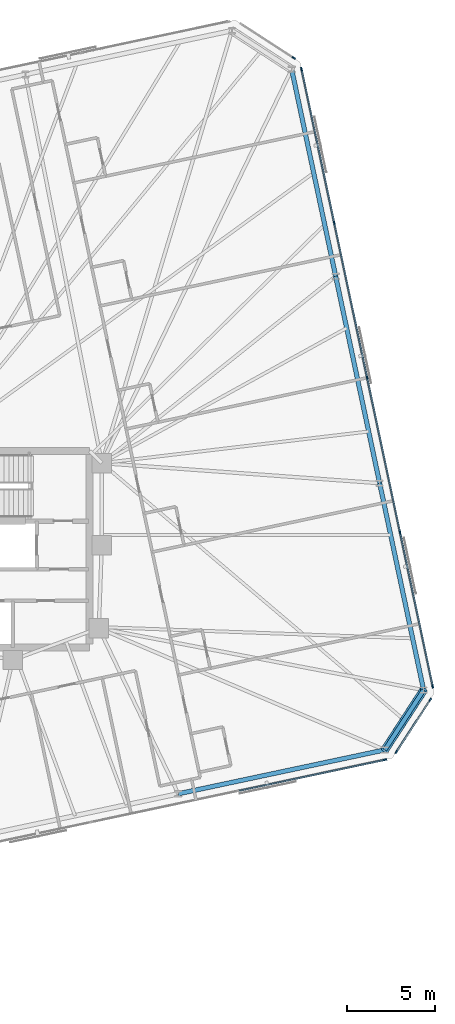
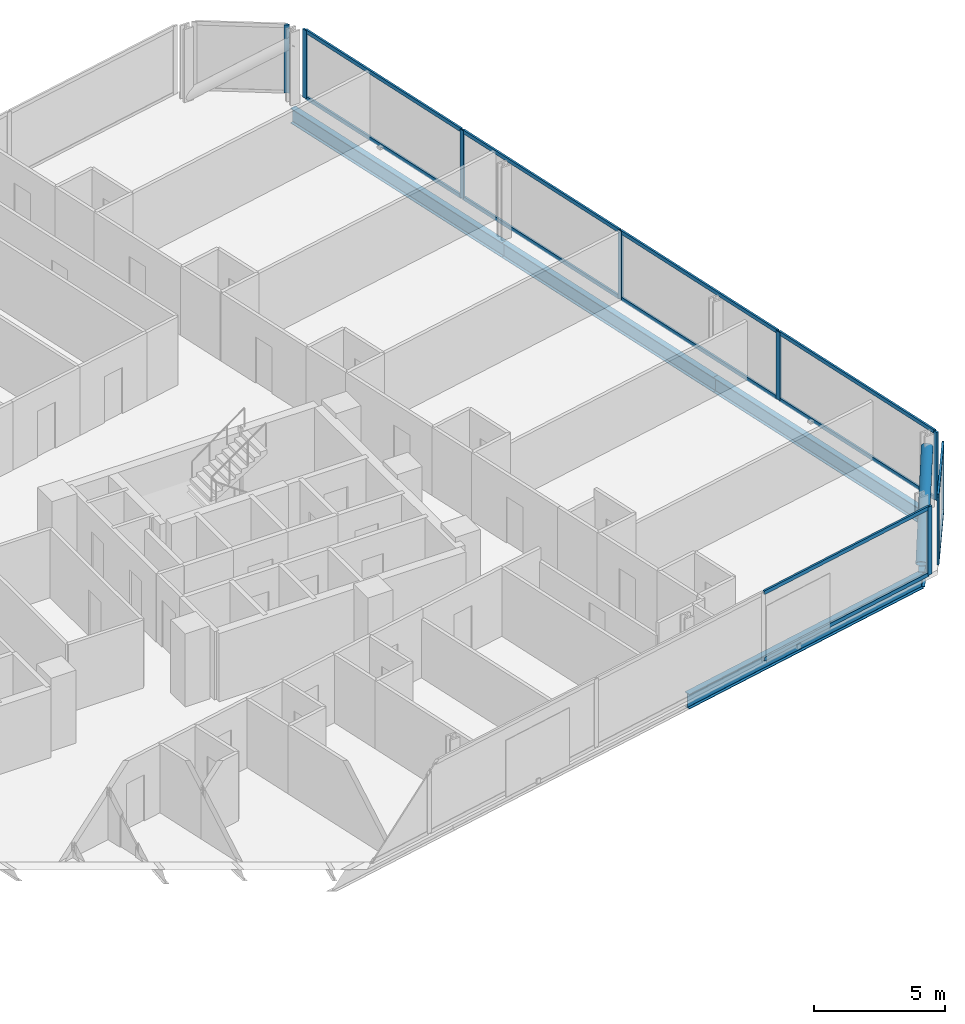
# One storey, part 12 of 21: 22 members, 5 beams, 4 elements without a shape of their own.
"""IFC4 building model written with IfcOpenShell, lengths in metres."""

from ifc_helpers import new_model, si_unit, direction, frame, origin, origin_2d, place, context, subcontext, project, spatial, rectangle, hollow_circle, i_section, extrude, material, material_profile, profile_set, type_object, element, aggregate, save


model = new_model("IFC4")

# Units and contexts
model_context = context("Model", 3, precision=1e-05, world=origin(), true_north=direction((0.0, 1.0)))
body_context = subcontext(model_context, "Body", "Model", "MODEL_VIEW")
ifc_project = project(units=[si_unit("LENGTHUNIT", "METRE"), si_unit("AREAUNIT", "SQUARE_METRE"), si_unit("VOLUMEUNIT", "CUBIC_METRE"), si_unit("PLANEANGLEUNIT", "RADIAN"), si_unit("MASSUNIT", "GRAM", prefix="KILO")], contexts=[model_context])

# Site, building, storey
site_placement = place(None, origin())
site = spatial("IfcSite", under=ifc_project, at=site_placement, CompositionType="ELEMENT")
building_placement = place(site_placement, origin())
building = spatial("IfcBuilding", under=site, at=building_placement, Name="Menara Jurai Vektor", CompositionType="ELEMENT")
storey_placement = place(building_placement, frame((0.0, 0.0, 168.39990234375)))
storey = spatial("IfcBuildingStorey", under=building, at=storey_placement, Name="L43", CompositionType="ELEMENT", Elevation=168.39990234375)

# Curtain wall, member
ifc_material_1 = material(Name="Anodised Pale Aluminium & Low-E Double Glazing", Category="aluminium")
curtain_wall_type = type_object("IfcCurtainWallType", Name="CW-BLK3", PredefinedType="NOTDEFINED", material=ifc_material_1)
curtain_wall_1_placement = place(storey_placement, origin())
curtain_wall_1 = element("IfcCurtainWall", 1, at=curtain_wall_1_placement, inside=storey, type_object=curtain_wall_type, Name="Unitised Curtain Wall L43 F01", PredefinedType="NOTDEFINED")
ifc_material_2 = material(Name="Anodised Pale Aluminium Mullion", Category="aluminium")
ifc_material_profile_1 = material_profile(ifc_material_2, rectangle(XDim=0.0849609375, YDim=0.205078125, at=origin_2d()), Name="ALU MUL 85x205")
ifc_profile_set_1 = profile_set([ifc_material_profile_1], Name="Anodised Pale Aluminium Mullion")
member_type_1 = type_object("IfcMemberType", Name="CW-BLK3-MUL", PredefinedType="MULLION", material=ifc_profile_set_1)
member_1_placement = place(storey_placement, frame((31.392578125, -11.99755859375, 0.0), z_axis=(0.0, 0.0, 1.0), x_axis=(-0.207911344156, 0.978147674419, 0.0)))
member_1 = element("IfcMember", 2, at=member_1_placement, type_object=member_type_1, Name="CW-03 mullion 8", PredefinedType="MULLION", context=body_context, shape_type="SweptSolid", body=[
    extrude(rectangle(XDim=0.0849609375, YDim=0.205078125, at=origin_2d()), origin(), (0.0, 0.0, 1.0), 3.175048828125),
])

# Curtain wall, members
curtain_wall_2_placement = place(storey_placement, origin())
curtain_wall_2 = element("IfcCurtainWall", 3, at=curtain_wall_2_placement, inside=storey, type_object=curtain_wall_type, Name="Unitised Curtain Wall L43 F02", PredefinedType="NOTDEFINED")
member_2_placement = place(storey_placement, frame((32.035888671875, -11.555419921875, 0.0), z_axis=(0.0, 0.0, 1.0), x_axis=(-0.838684361415, 0.544617794346, 0.0)))
member_2 = element("IfcMember", 4, at=member_2_placement, type_object=member_type_1, Name="CW-03 mullion 1", PredefinedType="MULLION", context=body_context, shape_type="SweptSolid", body=[
    extrude(rectangle(XDim=0.0849609375, YDim=0.205078125, at=origin_2d()), origin(), (0.0, 0.0, 1.0), 3.175048828125),
])
member_3_placement = place(storey_placement, frame((33.96337890625, -8.587158203125, 0.0), z_axis=(0.0, 0.0, 1.0), x_axis=(-0.838684361415, 0.544617794346, 0.0)))
member_3 = element("IfcMember", 5, at=member_3_placement, type_object=member_type_1, Name="CW-03 mullion 2", PredefinedType="MULLION", context=body_context, shape_type="SweptSolid", body=[
    extrude(rectangle(XDim=0.0849609375, YDim=0.205078125, at=origin_2d()), origin(), (0.0, 0.0, 1.0), 3.175048828125),
])

curtain_wall_3_placement = place(storey_placement, origin())
curtain_wall_3 = element("IfcCurtainWall", 6, at=curtain_wall_3_placement, inside=storey, type_object=curtain_wall_type, Name="Unitised Curtain Wall L43 F03", PredefinedType="NOTDEFINED")
member_4_placement = place(storey_placement, frame((34.105712890625, -7.819580078125, 0.0), z_axis=(0.0, 0.0, 1.0), x_axis=(-0.978147883949, -0.20791035839, 0.0)))
member_4 = element("IfcMember", 7, at=member_4_placement, type_object=member_type_1, Name="CW-03 mullion 1", PredefinedType="MULLION", context=body_context, shape_type="SweptSolid", body=[
    extrude(rectangle(XDim=0.0849609375, YDim=0.205078125, at=origin_2d()), origin(), (0.0, 0.0, 1.0), 3.175048828125),
])
member_5_placement = place(storey_placement, frame((32.2412109375, 0.951904296875, 0.0), z_axis=(0.0, 0.0, 1.0), x_axis=(-0.978147883949, -0.20791035839, 0.0)))
member_5 = element("IfcMember", 8, at=member_5_placement, type_object=member_type_1, Name="CW-03 mullion 2", PredefinedType="MULLION", context=body_context, shape_type="SweptSolid", body=[
    extrude(rectangle(XDim=0.0849609375, YDim=0.205078125, at=origin_2d()), origin(), (0.0, 0.0, 1.0), 3.175048828125),
])
member_6_placement = place(storey_placement, frame((30.367919921875, 9.76513671875, 0.0), z_axis=(0.0, 0.0, 1.0), x_axis=(-0.978147883949, -0.20791035839, 0.0)))
member_6 = element("IfcMember", 9, at=member_6_placement, type_object=member_type_1, Name="CW-03 mullion 3", PredefinedType="MULLION", context=body_context, shape_type="SweptSolid", body=[
    extrude(rectangle(XDim=0.0849609375, YDim=0.205078125, at=origin_2d()), origin(), (0.0, 0.0, 1.0), 3.175048828125),
])
member_7_placement = place(storey_placement, frame((28.49462890625, 18.578125, 0.0), z_axis=(0.0, 0.0, 1.0), x_axis=(-0.978147883949, -0.20791035839, 0.0)))
member_7 = element("IfcMember", 10, at=member_7_placement, type_object=member_type_1, Name="CW-03 mullion 4", PredefinedType="MULLION", context=body_context, shape_type="SweptSolid", body=[
    extrude(rectangle(XDim=0.0849609375, YDim=0.205078125, at=origin_2d()), origin(), (0.0, 0.0, 1.0), 3.175048828125),
])
member_8_placement = place(storey_placement, frame((26.630126953125, 27.349609375, 0.0), z_axis=(0.0, 0.0, 1.0), x_axis=(-0.978147883949, -0.20791035839, 0.0)))
member_8 = element("IfcMember", 11, at=member_8_placement, type_object=member_type_1, Name="CW-03 mullion 5", PredefinedType="MULLION", context=body_context, shape_type="SweptSolid", body=[
    extrude(rectangle(XDim=0.0849609375, YDim=0.205078125, at=origin_2d()), origin(), (0.0, 0.0, 1.0), 3.175048828125),
])

# Curtain wall, member
curtain_wall_4_placement = place(storey_placement, origin())
curtain_wall_4 = element("IfcCurtainWall", 12, at=curtain_wall_4_placement, inside=storey, type_object=curtain_wall_type, Name="Unitised Curtain Wall L43 F04", PredefinedType="NOTDEFINED")
member_9_placement = place(storey_placement, frame((26.18798828125, 27.9931640625, 0.0), z_axis=(0.0, 0.0, 1.0), x_axis=(-0.544617794346, -0.838684361415, 0.0)))
member_9 = element("IfcMember", 13, at=member_9_placement, type_object=member_type_1, Name="CW-03 mullion 1", PredefinedType="MULLION", context=body_context, shape_type="SweptSolid", body=[
    extrude(rectangle(XDim=0.0849609375, YDim=0.205078125, at=origin_2d()), origin(), (0.0, 0.0, 1.0), 3.175048828125),
])
aggregate(curtain_wall_4, [member_9])

# Member
ifc_material_3 = material(Name="Anodised Pale Aluminium Transom", Category="aluminium")
ifc_material_profile_2 = material_profile(ifc_material_3, rectangle(XDim=0.0849609375, YDim=0.175048828125, at=origin_2d()), Name="ALU TRN 85x175")
ifc_profile_set_2 = profile_set([ifc_material_profile_2], Name="Anodised Pale Aluminium Transom")
member_type_2 = type_object("IfcMemberType", Name="CW-BLK3-TRN", PredefinedType="USERDEFINED", material=ifc_profile_set_2)
member_10_placement = place(storey_placement, frame((23.0859375, -13.76318359375, 0.04248046875), z_axis=(0.978146953428, 0.207914736128, 0.0), x_axis=(-0.207914736128, 0.978146953428, 0.0)))
member_10 = element("IfcMember", 14, at=member_10_placement, type_object=member_type_2, Name="CW-03 transom 7.1", ObjectType="TRANSOM", PredefinedType="USERDEFINED", context=body_context, shape_type="SweptSolid", body=[
    extrude(rectangle(XDim=0.0849609375, YDim=0.175048828125, at=origin_2d()), origin(), (0.0, 0.0, 1.0), 8.44970703125),
])

member_11_placement = place(storey_placement, frame((23.0859375, -13.76318359375, 3.132568359375), z_axis=(0.978146953428, 0.207914736128, 0.0), x_axis=(-0.207914736128, 0.978146953428, 0.0)))
member_11 = element("IfcMember", 15, at=member_11_placement, type_object=member_type_2, Name="CW-03 transom 7.2", ObjectType="TRANSOM", PredefinedType="USERDEFINED", context=body_context, shape_type="SweptSolid", body=[
    extrude(rectangle(XDim=0.0849609375, YDim=0.175048828125, at=origin_2d()), origin(), (0.0, 0.0, 1.0), 8.44970703125),
])

aggregate(curtain_wall_1, [member_1, member_10, member_11])

member_12_placement = place(storey_placement, frame((32.05908203125, -11.519775390625, 0.04248046875), z_axis=(0.54459575764, 0.838698671014, 0.0), x_axis=(-0.838698671014, 0.54459575764, 0.0)))
member_12 = element("IfcMember", 16, at=member_12_placement, type_object=member_type_2, Name="CW-03 transom 1.1", ObjectType="TRANSOM", PredefinedType="USERDEFINED", context=body_context, shape_type="SweptSolid", body=[
    extrude(rectangle(XDim=0.0849609375, YDim=0.175048828125, at=origin_2d()), origin(), (0.0, 0.0, 1.0), 3.4541015625),
])

member_13_placement = place(storey_placement, frame((32.05908203125, -11.519775390625, 3.132568359375), z_axis=(0.54459575764, 0.838698671014, 0.0), x_axis=(-0.838698671014, 0.54459575764, 0.0)))
member_13 = element("IfcMember", 17, at=member_13_placement, type_object=member_type_2, Name="CW-03 transom 1.2", ObjectType="TRANSOM", PredefinedType="USERDEFINED", context=body_context, shape_type="SweptSolid", body=[
    extrude(rectangle(XDim=0.0849609375, YDim=0.175048828125, at=origin_2d()), origin(), (0.0, 0.0, 1.0), 3.4541015625),
])

aggregate(curtain_wall_2, [member_2, member_3, member_12, member_13])

member_14_placement = place(storey_placement, frame((34.096923828125, -7.778076171875, 0.04248046875), z_axis=(-0.207925814542, 0.978144598537, 0.0), x_axis=(-0.978144598537, -0.207925814542, 0.0)))
member_14 = element("IfcMember", 18, at=member_14_placement, type_object=member_type_2, Name="CW-03 transom 1.1", ObjectType="TRANSOM", PredefinedType="USERDEFINED", context=body_context, shape_type="SweptSolid", body=[
    extrude(rectangle(XDim=0.0849609375, YDim=0.175048828125, at=origin_2d()), origin(), (0.0, 0.0, 1.0), 8.882568359375),
])

member_15_placement = place(storey_placement, frame((34.096923828125, -7.778076171875, 3.132568359375), z_axis=(-0.207925814542, 0.978144598537, 0.0), x_axis=(-0.978144598537, -0.207925814542, 0.0)))
member_15 = element("IfcMember", 19, at=member_15_placement, type_object=member_type_2, Name="CW-03 transom 1.2", ObjectType="TRANSOM", PredefinedType="USERDEFINED", context=body_context, shape_type="SweptSolid", body=[
    extrude(rectangle(XDim=0.0849609375, YDim=0.175048828125, at=origin_2d()), origin(), (0.0, 0.0, 1.0), 8.882568359375),
])

member_16_placement = place(storey_placement, frame((32.232421875, 0.993408203125, 0.04248046875), z_axis=(-0.207922224243, 0.978145361726, 0.0), x_axis=(-0.978145361726, -0.207922224243, 0.0)))
member_16 = element("IfcMember", 20, at=member_16_placement, type_object=member_type_2, Name="CW-03 transom 2.1", ObjectType="TRANSOM", PredefinedType="USERDEFINED", context=body_context, shape_type="SweptSolid", body=[
    extrude(rectangle(XDim=0.0849609375, YDim=0.175048828125, at=origin_2d()), origin(), (0.0, 0.0, 1.0), 8.925048828125),
])

member_17_placement = place(storey_placement, frame((32.232421875, 0.993408203125, 3.132568359375), z_axis=(-0.207922224243, 0.978145361726, 0.0), x_axis=(-0.978145361726, -0.207922224243, 0.0)))
member_17 = element("IfcMember", 21, at=member_17_placement, type_object=member_type_2, Name="CW-03 transom 2.2", ObjectType="TRANSOM", PredefinedType="USERDEFINED", context=body_context, shape_type="SweptSolid", body=[
    extrude(rectangle(XDim=0.0849609375, YDim=0.175048828125, at=origin_2d()), origin(), (0.0, 0.0, 1.0), 8.925048828125),
])

member_18_placement = place(storey_placement, frame((30.359130859375, 9.806640625, 0.04248046875), z_axis=(-0.207922224243, 0.978145361726, 0.0), x_axis=(-0.978145361726, -0.207922224243, 0.0)))
member_18 = element("IfcMember", 22, at=member_18_placement, type_object=member_type_2, Name="CW-03 transom 3.1", ObjectType="TRANSOM", PredefinedType="USERDEFINED", context=body_context, shape_type="SweptSolid", body=[
    extrude(rectangle(XDim=0.0849609375, YDim=0.175048828125, at=origin_2d()), origin(), (0.0, 0.0, 1.0), 8.925048828125),
])

member_19_placement = place(storey_placement, frame((30.359130859375, 9.806640625, 3.132568359375), z_axis=(-0.207922224243, 0.978145361726, 0.0), x_axis=(-0.978145361726, -0.207922224243, 0.0)))
member_19 = element("IfcMember", 23, at=member_19_placement, type_object=member_type_2, Name="CW-03 transom 3.2", ObjectType="TRANSOM", PredefinedType="USERDEFINED", context=body_context, shape_type="SweptSolid", body=[
    extrude(rectangle(XDim=0.0849609375, YDim=0.175048828125, at=origin_2d()), origin(), (0.0, 0.0, 1.0), 8.925048828125),
])

member_20_placement = place(storey_placement, frame((28.48583984375, 18.61962890625, 0.04248046875), z_axis=(-0.207899517354, 0.978150188204, 0.0), x_axis=(-0.978150188204, -0.207899517354, 0.0)))
member_20 = element("IfcMember", 24, at=member_20_placement, type_object=member_type_2, Name="CW-03 transom 4.1", ObjectType="TRANSOM", PredefinedType="USERDEFINED", context=body_context, shape_type="SweptSolid", body=[
    extrude(rectangle(XDim=0.0849609375, YDim=0.175048828125, at=origin_2d()), origin(), (0.0, 0.0, 1.0), 8.882568359375),
])

member_21_placement = place(storey_placement, frame((28.48583984375, 18.61962890625, 3.132568359375), z_axis=(-0.207899517354, 0.978150188204, 0.0), x_axis=(-0.978150188204, -0.207899517354, 0.0)))
member_21 = element("IfcMember", 25, at=member_21_placement, type_object=member_type_2, Name="CW-03 transom 4.2", ObjectType="TRANSOM", PredefinedType="USERDEFINED", context=body_context, shape_type="SweptSolid", body=[
    extrude(rectangle(XDim=0.0849609375, YDim=0.175048828125, at=origin_2d()), origin(), (0.0, 0.0, 1.0), 8.882568359375),
])

aggregate(curtain_wall_3, [member_4, member_5, member_6, member_7, member_8, member_14, member_15, member_16, member_17, member_18, member_19, member_20, member_21])

ifc_material_4 = material(Name="Steel S460", Category="steel")
ifc_material_profile_3 = material_profile(ifc_material_4, hollow_circle(Radius=0.228515625, WallThickness=0.01611328125, at=origin_2d()), Name="CHS 457x16")
ifc_profile_set_3 = profile_set([ifc_material_profile_3], Name="Steel S460")
member_type_3 = type_object("IfcMemberType", Name="STR-BR-457", PredefinedType="BRACE", material=ifc_profile_set_3)
member_22_placement = place(storey_placement, frame((31.376220703125, -11.438720703125, 0.150146484375), z_axis=(0.454871874024, 0.700428396616, 0.549992399435), x_axis=(-0.838665998507, 0.544646071268, 0.0)))
element("IfcMember", 26, at=member_22_placement, inside=storey, type_object=member_type_3, Name="Exoskeleton Corner Brace L43-1", PredefinedType="BRACE", context=body_context, shape_type="SweptSolid", body=[
    extrude(hollow_circle(Radius=0.228515625, WallThickness=0.01611328125, at=origin_2d()), origin(), (0.0, 0.0, 1.0), 4.86376953125),
])

# Beams
ifc_material_profile_4 = material_profile(ifc_material_4, i_section(OverallWidth=0.256103515625, OverallDepth=0.693115234375, WebThickness=0.013916015625, FlangeThickness=0.02392578125, FilletRadius=0.014892578125, at=origin_2d()), Name="UKB 686x254x170")
ifc_profile_set_4 = profile_set([ifc_material_profile_4], Name="Steel S460")
beam_type = type_object("IfcBeamType", Name="STR-SP-686", PredefinedType="SPANDREL", material=ifc_profile_set_4)
beam_1_placement = place(storey_placement, frame((19.608154296875, -13.940185546875, -0.5712890625), z_axis=(0.97814616202, 0.207918459318, 0.0), x_axis=(-0.207918459318, 0.97814616202, 0.0)))
element("IfcBeam", 27, at=beam_1_placement, inside=storey, type_object=beam_type, Name="Exoskeleton Spandrel Beam L43-05", PredefinedType="SPANDREL", context=body_context, shape_type="SweptSolid", body=[
    extrude(i_section(OverallWidth=0.256103515625, OverallDepth=0.693115234375, WebThickness=0.013916015625, FlangeThickness=0.02392578125, FilletRadius=0.014892578125, at=origin_2d()), origin(), (0.0, 0.0, 1.0), 12.031005859375),
])
beam_2_placement = place(storey_placement, frame((31.376220703125, -11.438720703125, -0.5712890625), z_axis=(0.544646071268, 0.838665998507, 0.0), x_axis=(-0.838665998507, 0.544646071268, 0.0)))
element("IfcBeam", 28, at=beam_2_placement, inside=storey, type_object=beam_type, Name="Exoskeleton Spandrel Beam L43-06", PredefinedType="SPANDREL", context=body_context, shape_type="SweptSolid", body=[
    extrude(i_section(OverallWidth=0.256103515625, OverallDepth=0.693115234375, WebThickness=0.013916015625, FlangeThickness=0.02392578125, FilletRadius=0.014892578125, at=origin_2d()), origin(), (0.0, 0.0, 1.0), 4.06201171875),
])
beam_3_placement = place(storey_placement, frame((33.588623046875, -8.031982421875, -0.5712890625), z_axis=(-0.207925382659, 0.978144690343, 0.0), x_axis=(-0.978144690343, -0.207925382659, 0.0)))
element("IfcBeam", 29, at=beam_3_placement, inside=storey, type_object=beam_type, Name="Exoskeleton Spandrel Beam L43-07", PredefinedType="SPANDREL", context=body_context, shape_type="SweptSolid", body=[
    extrude(i_section(OverallWidth=0.256103515625, OverallDepth=0.693115234375, WebThickness=0.013916015625, FlangeThickness=0.02392578125, FilletRadius=0.014892578125, at=origin_2d()), origin(), (0.0, 0.0, 1.0), 12.0517578125),
])
for number, where, z_axis, x_axis, name in (
    (30, (31.082763671875, 3.75634765625, -0.5712890625), (-0.207901880993, 0.978149685825, 0.0), (-0.978149685825, -0.207901880993, 0.0), "Exoskeleton Spandrel Beam L43-08"),
    (31, (28.5771484375, 15.544921875, -0.5712890625), (-0.207921262698, 0.978145566119, 0.0), (-0.978145566119, -0.207921262698, 0.0), "Exoskeleton Spandrel Beam L43-09"),
):
    element("IfcBeam", number, at=place(storey_placement, frame(where, z_axis=z_axis, x_axis=x_axis)), inside=storey, type_object=beam_type, Name=name, PredefinedType="SPANDREL", context=body_context, shape_type="SweptSolid", body=[
        extrude(i_section(OverallWidth=0.256103515625, OverallDepth=0.693115234375, WebThickness=0.013916015625, FlangeThickness=0.02392578125, FilletRadius=0.014892578125, at=origin_2d()), origin(), (0.0, 0.0, 1.0), 12.052001953125),
    ])

save(model, "model.ifc")
